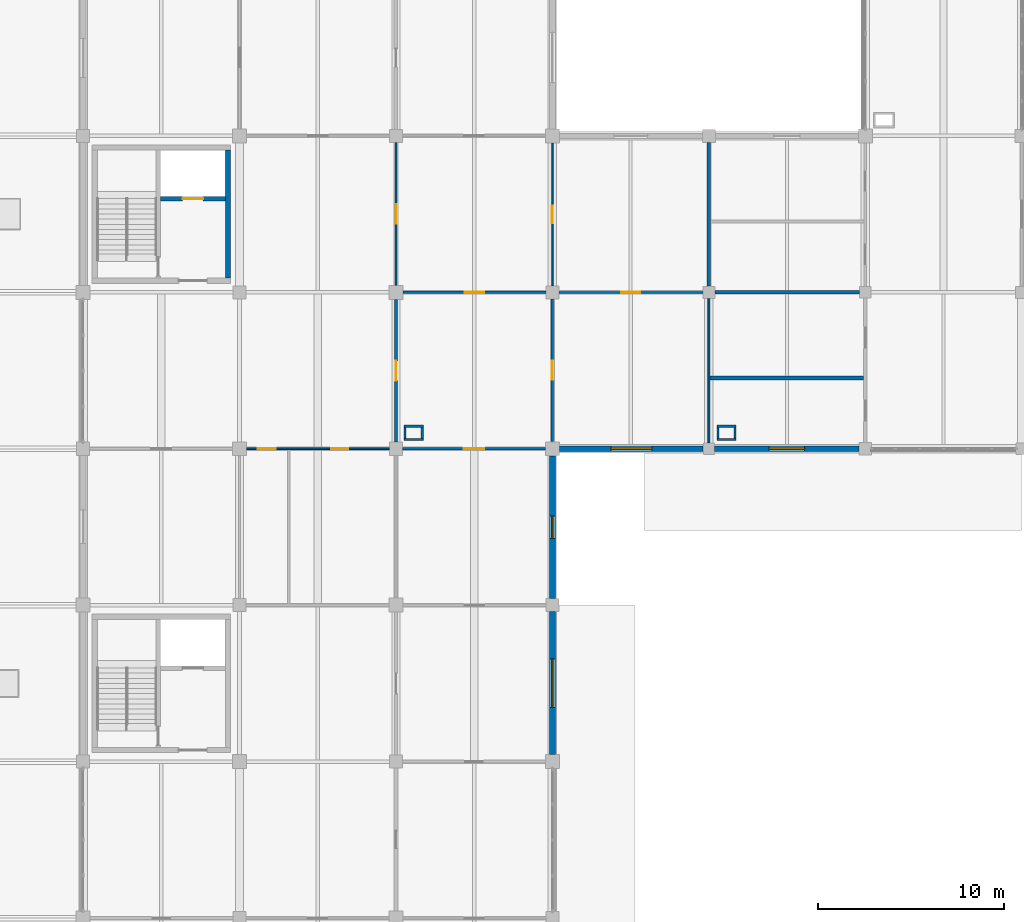
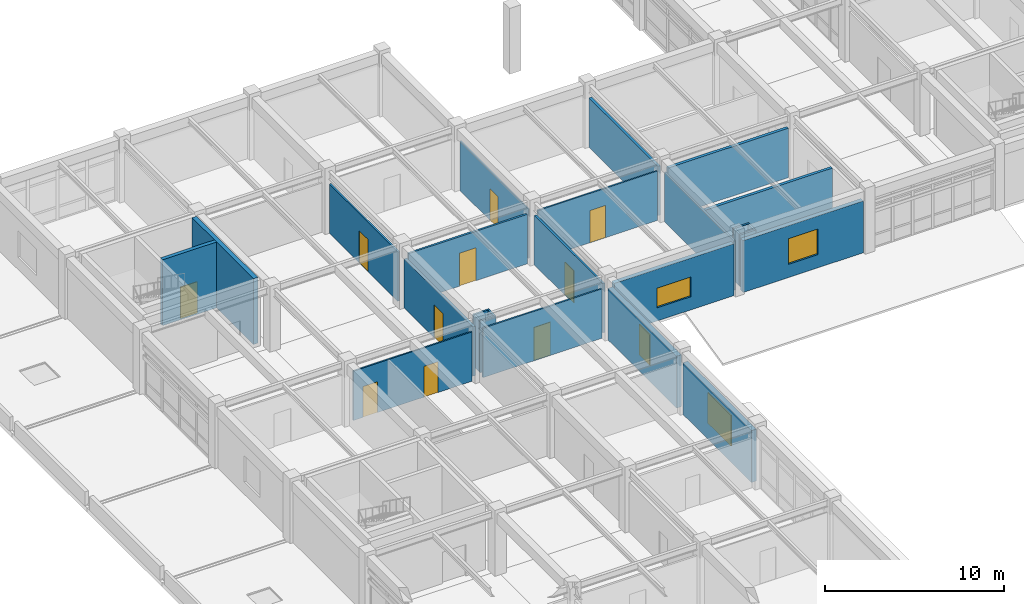
# One storey, part 61 of 78: 26 walls, 10 doors, 4 windows, 14 openings.
"""IFC4 building model written with IfcOpenShell, lengths in metres."""

from ifc_helpers import new_model, si_unit, direction, frame, frame_2d, origin, place, context, subcontext, project, spatial, rectangle, extrude, material, layer, layer_set, type_object, element, fill, save


model = new_model("IFC4")

# Units and contexts
model_context = context("Model", 3, precision=1e-05, world=origin(), true_north=direction((0.0, 1.0)))
body_context = subcontext(model_context, "Body", "Model", "MODEL_VIEW")
ifc_project = project(units=[si_unit("LENGTHUNIT", "METRE"), si_unit("AREAUNIT", "SQUARE_METRE"), si_unit("VOLUMEUNIT", "CUBIC_METRE"), si_unit("PLANEANGLEUNIT", "RADIAN"), si_unit("MASSUNIT", "GRAM", prefix="KILO")], contexts=[model_context])

# Site, building, storey
site_placement = place(None, origin())
site = spatial("IfcSite", under=ifc_project, at=site_placement, CompositionType="ELEMENT")
building_placement = place(site_placement, origin())
building = spatial("IfcBuilding", under=site, at=building_placement, Name="Porcellanite Civic Hall", CompositionType="ELEMENT")
storey_placement = place(building_placement, frame((0.0, 0.0, 10.260009765625)))
storey = spatial("IfcBuildingStorey", under=building, at=storey_placement, Name="L02", CompositionType="ELEMENT", Elevation=10.260009765625)

# Wall, opening, door
ifc_material_1 = material(Name="Concrete N40 (40 MPa)", Category="concrete")
ifc_layer_1 = layer(ifc_material_1, 0.239990234375)
ifc_layer_set_1 = layer_set([ifc_layer_1], Name="Concrete N40 (40 MPa)")
wall_type_1 = type_object("IfcWallType", Name="CW-SH240", PredefinedType="SHEAR", material=ifc_layer_set_1)
wall_1_placement = place(storey_placement, frame((12.56005859375, 63.820068359375, 0.0), z_axis=(0.0, 0.0, 1.0), x_axis=(1.0, 0.0, 0.0)))
wall_1 = element("IfcWall", 1, at=wall_1_placement, inside=storey, type_object=wall_type_1, Name="Lift shaft wall C2 L02", PredefinedType="SHEAR", context=body_context, shape_type="SweptSolid", body=[
    extrude(rectangle(XDim=3.47998046875, YDim=0.239990234375, at=frame_2d((1.739990234375, 0.0))), origin(), (0.0, 0.0, 1.0), 4.5),
])
opening_1_placement = place(wall_1_placement, frame((1.18994140625, 0.0, 0.0)))
opening_1 = element("IfcOpeningElement", 2, at=opening_1_placement, cuts=wall_1, Name="Opening LD-04", PredefinedType="OPENING", context=body_context, shape_type="SweptSolid", body=[
    extrude(rectangle(XDim=1.10009765625, YDim=2.14990234375, at=frame_2d((0.550048828125, 1.074951171875))), frame((0.0, 0.1201171875, 0.0), z_axis=(0.0, -1.0, 0.0), x_axis=(1.0, 0.0, 0.0)), (0.0, 0.0, 1.0), 0.239990234375),
])
ifc_material_2 = material(Name="Brushed stainless steel 316", Category="steel")
door_type_1 = type_object("IfcDoorType", Name="DR-LD110", OperationType="DOUBLE_DOOR_SLIDING", PredefinedType="DOOR", material=ifc_material_2)
door_1_placement = place(opening_1_placement, origin())
door_1 = element("IfcDoor", 3, at=door_1_placement, inside=storey, type_object=door_type_1, Name="Lift landing sliding door LD-04 L02", OperationType="DOUBLE_DOOR_SLIDING", OverallHeight=2.14990234375, OverallWidth=1.10009765625, PredefinedType="DOOR", context=body_context, shape_type="SweptSolid", body=[
    extrude(rectangle(XDim=1.10009765625, YDim=2.14990234375, at=frame_2d((0.550048828125, 1.074951171875))), frame((0.0, 0.02490234375, 0.0), z_axis=(0.0, -1.0, 0.0), x_axis=(1.0, 0.0, 0.0)), (0.0, 0.0, 1.0), 0.050048828125),
])
fill(opening_1, door_1)

# Wall
ifc_material_3 = material(Name="Concrete N40 (40 MPa)", Category="concrete")
ifc_layer_2 = layer(ifc_material_3, 0.280029296875)
ifc_layer_set_2 = layer_set([ifc_layer_2], Name="Concrete N40 (40 MPa)")
wall_type_2 = type_object("IfcWallType", Name="CW-SH280", PredefinedType="SHEAR", material=ifc_layer_set_2)
wall_2_placement = place(storey_placement, frame((16.179931640625, 66.43994140625, 0.0), z_axis=(0.0, 0.0, 1.0), x_axis=(0.0, -1.0, 0.0)))
element("IfcWall", 4, at=wall_2_placement, inside=storey, type_object=wall_type_2, Name="Core wall C2 L02 E", PredefinedType="SHEAR", context=body_context, shape_type="SweptSolid", body=[
    extrude(rectangle(XDim=6.8798828125, YDim=0.280029296875, at=frame_2d((3.43994140625, 0.0))), origin(), (0.0, 0.0, 1.0), 4.5),
])

# Wall, opening, window
ifc_material_4 = material(Name="Precast concrete N40 (40 MPa)", Category="concrete")
ifc_layer_3 = layer(ifc_material_4, 0.280029296875)
ifc_layer_set_3 = layer_set([ifc_layer_3], Name="Precast concrete N40 (40 MPa)")
wall_type_3 = type_object("IfcWallType", Name="EW-CLO280", PredefinedType="SOLIDWALL", material=ifc_layer_set_3)
wall_3_placement = place(storey_placement, frame((41.698974609375, 50.39990234375, 0.0), z_axis=(0.0, 0.0, 1.0), x_axis=(-1.0, 0.0, 0.0)))
wall_3 = element("IfcWall", 5, at=wall_3_placement, inside=storey, type_object=wall_type_3, Name="Exterior wall L02 S 5-7", PredefinedType="SOLIDWALL", context=body_context, shape_type="SweptSolid", body=[
    extrude(rectangle(XDim=7.722900390625, YDim=0.280029296875, at=frame_2d((3.861328125, 0.0))), origin(), (0.0, 0.0, 1.0), 3.5400390625),
])
opening_2_placement = place(wall_3_placement, frame((2.760986328125, 0.0, 0.89990234375)))
opening_2 = element("IfcOpeningElement", 6, at=opening_2_placement, cuts=wall_3, Name="Opening W11", PredefinedType="OPENING", context=body_context, shape_type="SweptSolid", body=[
    extrude(rectangle(XDim=2.199951171875, YDim=1.35009765625, at=frame_2d((1.10009765625, 0.675048828125))), frame((0.0, 0.14013671875, 0.0), z_axis=(0.0, -1.0, 0.0), x_axis=(1.0, 0.0, 0.0)), (0.0, 0.0, 1.0), 0.280029296875),
])
ifc_material_5 = material(Name="Cyclone laminated low-E glazing in anodised aluminium frame", Category="aluminium")
window_type_1 = type_object("IfcWindowType", Name="WN-11", PartitioningType="DOUBLE_PANEL_HORIZONTAL", PredefinedType="WINDOW", material=ifc_material_5)
window_1_placement = place(opening_2_placement, origin())
window_1 = element("IfcWindow", 7, at=window_1_placement, inside=storey, type_object=window_type_1, Name="Window W11 L02 S 5-7", OverallHeight=1.35009765625, OverallWidth=2.199951171875, PartitioningType="SINGLE_PANEL", PredefinedType="WINDOW", context=body_context, shape_type="SweptSolid", body=[
    extrude(rectangle(XDim=2.199951171875, YDim=1.35009765625, at=frame_2d((1.10009765625, 0.675048828125))), frame((0.0, 0.030029296875, 0.0), z_axis=(0.0, -1.0, 0.0), x_axis=(1.0, 0.0, 0.0)), (0.0, 0.0, 1.0), 0.06005859375),
])
fill(opening_2, window_1)

wall_4_placement = place(storey_placement, frame((50.073974609375, 50.39990234375, 0.0), z_axis=(0.0, 0.0, 1.0), x_axis=(-1.0, 0.0, 0.0)))
wall_4 = element("IfcWall", 8, at=wall_4_placement, inside=storey, type_object=wall_type_3, Name="Exterior wall L02 S 6-7", PredefinedType="SOLIDWALL", context=body_context, shape_type="SweptSolid", body=[
    extrude(rectangle(XDim=7.77294921875, YDim=0.280029296875, at=frame_2d((3.886474609375, 0.0))), origin(), (0.0, 0.0, 1.0), 3.5400390625),
])
opening_3_placement = place(wall_4_placement, frame((2.93603515625, 0.0, 0.89990234375)))
opening_3 = element("IfcOpeningElement", 9, at=opening_3_placement, cuts=wall_4, Name="Opening W15", PredefinedType="OPENING", context=body_context, shape_type="SweptSolid", body=[
    extrude(rectangle(XDim=1.89990234375, YDim=1.75, at=frame_2d((0.949951171875, 0.875))), frame((0.0, 0.14013671875, 0.0), z_axis=(0.0, -1.0, 0.0), x_axis=(1.0, 0.0, 0.0)), (0.0, 0.0, 1.0), 0.280029296875),
])
ifc_material_6 = material(Name="Cyclone laminated low-E glazing in anodised aluminium frame", Category="aluminium")
window_type_2 = type_object("IfcWindowType", Name="WN-15", PartitioningType="DOUBLE_PANEL_VERTICAL", PredefinedType="WINDOW", material=ifc_material_6)
window_2_placement = place(opening_3_placement, origin())
window_2 = element("IfcWindow", 10, at=window_2_placement, inside=storey, type_object=window_type_2, Name="Window W15 L02 S 6-7", OverallHeight=1.75, OverallWidth=1.89990234375, PartitioningType="SINGLE_PANEL", PredefinedType="WINDOW", context=body_context, shape_type="SweptSolid", body=[
    extrude(rectangle(XDim=1.89990234375, YDim=1.75, at=frame_2d((0.949951171875, 0.875))), frame((0.0, 0.030029296875, 0.0), z_axis=(0.0, -1.0, 0.0), x_axis=(1.0, 0.0, 0.0)), (0.0, 0.0, 1.0), 0.06005859375),
])
fill(opening_3, window_2)

ifc_material_7 = material(Name="Precast concrete N40 (40 MPa)", Category="concrete")
ifc_layer_4 = layer(ifc_material_7, 0.320068359375)
ifc_layer_set_4 = layer_set([ifc_layer_4], Name="Precast concrete N40 (40 MPa)")
wall_type_4 = type_object("IfcWallType", Name="EW-COM320", PredefinedType="SOLIDWALL", material=ifc_layer_set_4)
wall_5_placement = place(storey_placement, frame((33.60009765625, 41.64892578125, 0.0), z_axis=(0.0, 0.0, 1.0), x_axis=(0.0, -1.0, 0.0)))
wall_5 = element("IfcWall", 11, at=wall_5_placement, inside=storey, type_object=wall_type_4, Name="Exterior wall L02 E 4-5", PredefinedType="SOLIDWALL", context=body_context, shape_type="SweptSolid", body=[
    extrude(rectangle(XDim=7.6728515625, YDim=0.320068359375, at=frame_2d((3.83642578125, 0.0))), origin(), (0.0, 0.0, 1.0), 3.5400390625),
])
opening_4_placement = place(wall_5_placement, frame((2.537109375, 0.0, 0.89990234375)))
opening_4 = element("IfcOpeningElement", 12, at=opening_4_placement, cuts=wall_5, Name="Opening W07", PredefinedType="OPENING", context=body_context, shape_type="SweptSolid", body=[
    extrude(rectangle(XDim=2.60009765625, YDim=2.10009765625, at=frame_2d((1.300048828125, 1.050048828125))), frame((0.0, 0.16015625, 0.0), z_axis=(0.0, -1.0, 0.0), x_axis=(1.0, 0.0, 0.0)), (0.0, 0.0, 1.0), 0.320068359375),
])
ifc_material_8 = material(Name="Cyclone laminated low-E glazing in anodised aluminium frame", Category="aluminium")
window_type_3 = type_object("IfcWindowType", Name="WN-07", PartitioningType="TRIPLE_PANEL_VERTICAL", PredefinedType="WINDOW", material=ifc_material_8)
window_3_placement = place(opening_4_placement, origin())
window_3 = element("IfcWindow", 13, at=window_3_placement, inside=storey, type_object=window_type_3, Name="Window W07 L02 E 4-5", OverallHeight=2.10009765625, OverallWidth=2.60009765625, PartitioningType="SINGLE_PANEL", PredefinedType="WINDOW", context=body_context, shape_type="SweptSolid", body=[
    extrude(rectangle(XDim=2.60009765625, YDim=2.10009765625, at=frame_2d((1.300048828125, 1.050048828125))), frame((0.0, 0.030029296875, 0.0), z_axis=(0.0, -1.0, 0.0), x_axis=(1.0, 0.0, 0.0)), (0.0, 0.0, 1.0), 0.06005859375),
])
fill(opening_4, window_3)

wall_6_placement = place(storey_placement, frame((33.60009765625, 50.02392578125, 0.0), z_axis=(0.0, 0.0, 1.0), x_axis=(0.0, -1.0, 0.0)))
wall_6 = element("IfcWall", 14, at=wall_6_placement, inside=storey, type_object=wall_type_4, Name="Exterior wall L02 E 4-6", PredefinedType="SOLIDWALL", context=body_context, shape_type="SweptSolid", body=[
    extrude(rectangle(XDim=7.6728515625, YDim=0.320068359375, at=frame_2d((3.83642578125, 0.0))), origin(), (0.0, 0.0, 1.0), 3.5400390625),
])
opening_5_placement = place(wall_6_placement, frame((3.236083984375, 0.0, 0.89990234375)))
opening_5 = element("IfcOpeningElement", 15, at=opening_5_placement, cuts=wall_6, Name="Opening W08", PredefinedType="OPENING", context=body_context, shape_type="SweptSolid", body=[
    extrude(rectangle(XDim=1.199951171875, YDim=2.10009765625, at=frame_2d((0.60009765625, 1.050048828125))), frame((0.0, 0.16015625, 0.0), z_axis=(0.0, -1.0, 0.0), x_axis=(1.0, 0.0, 0.0)), (0.0, 0.0, 1.0), 0.320068359375),
])
ifc_material_9 = material(Name="Cyclone laminated low-E glazing in anodised aluminium frame", Category="aluminium")
window_type_4 = type_object("IfcWindowType", Name="WN-08", PartitioningType="SINGLE_PANEL", PredefinedType="WINDOW", material=ifc_material_9)
window_4_placement = place(opening_5_placement, origin())
window_4 = element("IfcWindow", 16, at=window_4_placement, inside=storey, type_object=window_type_4, Name="Window W08 L02 E 4-6", OverallHeight=2.10009765625, OverallWidth=1.199951171875, PartitioningType="SINGLE_PANEL", PredefinedType="WINDOW", context=body_context, shape_type="SweptSolid", body=[
    extrude(rectangle(XDim=1.199951171875, YDim=2.10009765625, at=frame_2d((0.60009765625, 1.050048828125))), frame((0.0, 0.030029296875, 0.0), z_axis=(0.0, -1.0, 0.0), x_axis=(1.0, 0.0, 0.0)), (0.0, 0.0, 1.0), 0.06005859375),
])
fill(opening_5, window_4)

# Walls
ifc_material_10 = material(Name="Fire-rated shaftwall plasterboard on steel studs", Category="steel")
ifc_layer_5 = layer(ifc_material_10, 0.117919921875)
ifc_layer_set_5 = layer_set([ifc_layer_5], Name="Fire-rated shaftwall plasterboard on steel studs")
wall_type_5 = type_object("IfcWallType", Name="IW-FR118", PredefinedType="PARTITIONING", material=ifc_layer_set_5)
for number, where, z_axis, x_axis, name in (
    (17, (25.632080078125, 50.89111328125, 0.0), (0.0, 0.0, 1.0), (1.0, 0.0, 0.0), "Fire riser shaftwall S L02 3-6"),
    (18, (25.632080078125, 51.60888671875, 0.0), (0.0, 0.0, 1.0), (1.0, 0.0, 0.0), "Fire riser shaftwall N L02 3-6"),
):
    element("IfcWall", number, at=place(storey_placement, frame(where, z_axis=z_axis, x_axis=x_axis)), inside=storey, type_object=wall_type_5, Name=name, PredefinedType="PARTITIONING", context=body_context, shape_type="SweptSolid", body=[
        extrude(rectangle(XDim=1.035888671875, YDim=0.117919921875, at=frame_2d((0.51806640625, 0.0))), origin(), (0.0, 0.0, 1.0), 3.530029296875),
    ])
for number, where, z_axis, x_axis, name in (
    (19, (25.69091796875, 50.949951171875, 0.0), (0.0, 0.0, 1.0), (0.0, 1.0, 0.0), "Fire riser shaftwall W L02 3-6"),
    (20, (26.60888671875, 50.949951171875, 0.0), (0.0, 0.0, 1.0), (0.0, 1.0, 0.0), "Fire riser shaftwall E L02 3-6"),
):
    element("IfcWall", number, at=place(storey_placement, frame(where, z_axis=z_axis, x_axis=x_axis)), inside=storey, type_object=wall_type_5, Name=name, PredefinedType="PARTITIONING", context=body_context, shape_type="SweptSolid", body=[
        extrude(rectangle(XDim=0.60009765625, YDim=0.117919921875, at=frame_2d((0.300048828125, 0.0))), origin(), (0.0, 0.0, 1.0), 3.530029296875),
    ])
for number, where, z_axis, x_axis, name in (
    (21, (42.431884765625, 50.89111328125, 0.0), (0.0, 0.0, 1.0), (1.0, 0.0, 0.0), "Fire riser shaftwall S L02 5-6"),
    (22, (42.431884765625, 51.60888671875, 0.0), (0.0, 0.0, 1.0), (1.0, 0.0, 0.0), "Fire riser shaftwall N L02 5-6"),
):
    element("IfcWall", number, at=place(storey_placement, frame(where, z_axis=z_axis, x_axis=x_axis)), inside=storey, type_object=wall_type_5, Name=name, PredefinedType="PARTITIONING", context=body_context, shape_type="SweptSolid", body=[
        extrude(rectangle(XDim=1.0361328125, YDim=0.117919921875, at=frame_2d((0.51806640625, 0.0))), origin(), (0.0, 0.0, 1.0), 3.530029296875),
    ])
for number, where, z_axis, x_axis, name in (
    (23, (42.490966796875, 50.949951171875, 0.0), (0.0, 0.0, 1.0), (0.0, 1.0, 0.0), "Fire riser shaftwall W L02 5-6"),
    (24, (43.408935546875, 50.949951171875, 0.0), (0.0, 0.0, 1.0), (0.0, 1.0, 0.0), "Fire riser shaftwall E L02 5-6"),
):
    element("IfcWall", number, at=place(storey_placement, frame(where, z_axis=z_axis, x_axis=x_axis)), inside=storey, type_object=wall_type_5, Name=name, PredefinedType="PARTITIONING", context=body_context, shape_type="SweptSolid", body=[
        extrude(rectangle(XDim=0.60009765625, YDim=0.117919921875, at=frame_2d((0.300048828125, 0.0))), origin(), (0.0, 0.0, 1.0), 3.530029296875),
    ])

# Wall, opening, door
ifc_material_11 = material(Name="Insulated acoustic plasterboard on light-gauge steel studs", Category="steel")
ifc_layer_6 = layer(ifc_material_11, 0.087890625)
ifc_layer_set_6 = layer_set([ifc_layer_6], Name="Insulated acoustic plasterboard on light-gauge steel studs")
wall_type_6 = type_object("IfcWallType", Name="IW-PT088", PredefinedType="PARTITIONING", material=ifc_layer_set_6)
wall_7_placement = place(storey_placement, frame((33.60009765625, 59.152099609375, 0.0), z_axis=(0.0, 0.0, 1.0), x_axis=(0.0, 1.0, 0.0)))
wall_7 = element("IfcWall", 25, at=wall_7_placement, inside=storey, type_object=wall_type_6, Name="Partition L02 V 4-8", PredefinedType="PARTITIONING", context=body_context, shape_type="SweptSolid", body=[
    extrude(rectangle(XDim=7.6708984375, YDim=0.087890625, at=frame_2d((3.83544921875, 0.0))), origin(), (0.0, 0.0, 1.0), 3.369873046875),
])
opening_6_placement = place(wall_7_placement, frame((3.364990234375, 0.0, 0.0)))
opening_6 = element("IfcOpeningElement", 26, at=opening_6_placement, cuts=wall_7, Name="Opening D-L02-397", PredefinedType="OPENING", context=body_context, shape_type="SweptSolid", body=[
    extrude(rectangle(XDim=0.93994140625, YDim=2.14990234375, at=frame_2d((0.469970703125, 1.074951171875))), frame((0.0, 0.0439453125, 0.0), z_axis=(0.0, -1.0, 0.0), x_axis=(1.0, 0.0, 0.0)), (0.0, 0.0, 1.0), 0.087890625),
])
ifc_material_12 = material(Name="Solid-core spotted-gum timber", Category="wood")
door_type_2 = type_object("IfcDoorType", Name="DR-RM094", OperationType="NOTDEFINED", PredefinedType="DOOR", material=ifc_material_12)
door_2_placement = place(opening_6_placement, origin())
door_2 = element("IfcDoor", 27, at=door_2_placement, inside=storey, type_object=door_type_2, Name="Interior door D-L02-397", OperationType="SINGLE_SWING_LEFT", OverallHeight=2.14990234375, OverallWidth=0.93994140625, PredefinedType="DOOR", context=body_context, shape_type="SweptSolid", body=[
    extrude(rectangle(XDim=0.93994140625, YDim=2.14990234375, at=frame_2d((0.469970703125, 1.074951171875))), frame((0.0, 0.02490234375, 0.0), z_axis=(0.0, -1.0, 0.0), x_axis=(1.0, 0.0, 0.0)), (0.0, 0.0, 1.0), 0.050048828125),
])
fill(opening_6, door_2)

# Wall, openings, doors
ifc_material_13 = material(Name="Insulated acoustic plasterboard on light-gauge steel studs", Category="steel")
ifc_layer_7 = layer(ifc_material_13, 0.094970703125)
ifc_layer_set_7 = layer_set([ifc_layer_7], Name="Insulated acoustic plasterboard on light-gauge steel studs")
wall_type_7 = type_object("IfcWallType", Name="IW-PT095", PredefinedType="PARTITIONING", material=ifc_layer_set_7)
wall_8_placement = place(storey_placement, frame((17.177001953125, 50.39990234375, 0.0), z_axis=(0.0, 0.0, 1.0), x_axis=(1.0, 0.0, 0.0)))
wall_8 = element("IfcWall", 28, at=wall_8_placement, inside=storey, type_object=wall_type_7, Name="Partition L02 H 3-6", PredefinedType="PARTITIONING", context=body_context, shape_type="SweptSolid", body=[
    extrude(rectangle(XDim=7.6708984375, YDim=0.094970703125, at=frame_2d((3.83544921875, 0.0))), origin(), (0.0, 0.0, 1.0), 3.369873046875),
])
opening_7_placement = place(wall_8_placement, frame((0.60791015625, 0.0, 0.0)))
opening_7 = element("IfcOpeningElement", 29, at=opening_7_placement, cuts=wall_8, Name="Opening D-L02-308", PredefinedType="OPENING", context=body_context, shape_type="SweptSolid", body=[
    extrude(rectangle(XDim=0.9599609375, YDim=2.10009765625, at=frame_2d((0.47998046875, 1.050048828125))), frame((0.0, 0.04736328125, 0.0), z_axis=(0.0, -1.0, 0.0), x_axis=(1.0, 0.0, 0.0)), (0.0, 0.0, 1.0), 0.094970703125),
])
opening_8_placement = place(wall_8_placement, frame((4.548095703125, 0.0, 0.0)))
opening_8 = element("IfcOpeningElement", 30, at=opening_8_placement, cuts=wall_8, Name="Opening D-L02-309", PredefinedType="OPENING", context=body_context, shape_type="SweptSolid", body=[
    extrude(rectangle(XDim=0.919921875, YDim=2.10009765625, at=frame_2d((0.4599609375, 1.050048828125))), frame((0.0, 0.04736328125, 0.0), z_axis=(0.0, -1.0, 0.0), x_axis=(1.0, 0.0, 0.0)), (0.0, 0.0, 1.0), 0.094970703125),
])
ifc_material_14 = material(Name="Moisture-resistant laminate solid-core timber", Category="wood")
door_type_3 = type_object("IfcDoorType", Name="DR-WC092", OperationType="NOTDEFINED", PredefinedType="DOOR", material=ifc_material_14)
door_3_placement = place(opening_8_placement, origin())
door_3 = element("IfcDoor", 31, at=door_3_placement, inside=storey, type_object=door_type_3, Name="Interior door D-L02-309", OperationType="SINGLE_SWING_LEFT", OverallHeight=2.10009765625, OverallWidth=0.919921875, PredefinedType="DOOR", context=body_context, shape_type="SweptSolid", body=[
    extrude(rectangle(XDim=0.919921875, YDim=2.10009765625, at=frame_2d((0.4599609375, 1.050048828125))), frame((0.0, 0.02490234375, 0.0), z_axis=(0.0, -1.0, 0.0), x_axis=(1.0, 0.0, 0.0)), (0.0, 0.0, 1.0), 0.050048828125),
])
fill(opening_8, door_3)
ifc_material_15 = material(Name="Moisture-resistant laminate solid-core timber", Category="wood")
door_type_4 = type_object("IfcDoorType", Name="DR-WC096", OperationType="NOTDEFINED", PredefinedType="DOOR", material=ifc_material_15)
door_4_placement = place(opening_7_placement, origin())
door_4 = element("IfcDoor", 32, at=door_4_placement, inside=storey, type_object=door_type_4, Name="Interior door D-L02-308", OperationType="SINGLE_SWING_RIGHT", OverallHeight=2.10009765625, OverallWidth=0.9599609375, PredefinedType="DOOR", context=body_context, shape_type="SweptSolid", body=[
    extrude(rectangle(XDim=0.9599609375, YDim=2.10009765625, at=frame_2d((0.47998046875, 1.050048828125))), frame((0.0, 0.02490234375, 0.0), z_axis=(0.0, -1.0, 0.0), x_axis=(1.0, 0.0, 0.0)), (0.0, 0.0, 1.0), 0.050048828125),
])
fill(opening_7, door_4)

# Wall, opening, door
ifc_material_16 = material(Name="Insulated acoustic plasterboard on light-gauge steel studs", Category="steel")
ifc_layer_8 = layer(ifc_material_16, 0.10498046875)
ifc_layer_set_8 = layer_set([ifc_layer_8], Name="Insulated acoustic plasterboard on light-gauge steel studs")
wall_type_8 = type_object("IfcWallType", Name="IW-PT105", PredefinedType="PARTITIONING", material=ifc_layer_set_8)
wall_9_placement = place(storey_placement, frame((33.951904296875, 58.800048828125, 0.0), z_axis=(0.0, 0.0, 1.0), x_axis=(1.0, 0.0, 0.0)))
wall_9 = element("IfcWall", 33, at=wall_9_placement, inside=storey, type_object=wall_type_8, Name="Partition L02 H 5-7", PredefinedType="PARTITIONING", context=body_context, shape_type="SweptSolid", body=[
    extrude(rectangle(XDim=7.72119140625, YDim=0.10498046875, at=frame_2d((3.860595703125, 0.0))), origin(), (0.0, 0.0, 1.0), 3.369873046875),
])
opening_9_placement = place(wall_9_placement, frame((3.35107421875, 0.0, 0.0)))
opening_9 = element("IfcOpeningElement", 34, at=opening_9_placement, cuts=wall_9, Name="Opening D-L02-367", PredefinedType="OPENING", context=body_context, shape_type="SweptSolid", body=[
    extrude(rectangle(XDim=1.02001953125, YDim=2.199951171875, at=frame_2d((0.510009765625, 1.10009765625))), frame((0.0, 0.052490234375, 0.0), z_axis=(0.0, -1.0, 0.0), x_axis=(1.0, 0.0, 0.0)), (0.0, 0.0, 1.0), 0.10498046875),
])
ifc_material_17 = material(Name="Solid-core spotted-gum timber", Category="wood")
door_type_5 = type_object("IfcDoorType", Name="DR-RM102", OperationType="NOTDEFINED", PredefinedType="DOOR", material=ifc_material_17)
door_5_placement = place(opening_9_placement, origin())
door_5 = element("IfcDoor", 35, at=door_5_placement, inside=storey, type_object=door_type_5, Name="Interior door D-L02-367", OperationType="SINGLE_SWING_LEFT", OverallHeight=2.199951171875, OverallWidth=1.02001953125, PredefinedType="DOOR", context=body_context, shape_type="SweptSolid", body=[
    extrude(rectangle(XDim=1.02001953125, YDim=2.199951171875, at=frame_2d((0.510009765625, 1.10009765625))), frame((0.0, 0.02490234375, 0.0), z_axis=(0.0, -1.0, 0.0), x_axis=(1.0, 0.0, 0.0)), (0.0, 0.0, 1.0), 0.050048828125),
])
fill(opening_9, door_5)

# Wall
wall_10_placement = place(storey_placement, frame((42.0, 50.701904296875, 0.0), z_axis=(0.0, 0.0, 1.0), x_axis=(0.0, 1.0, 0.0)))
element("IfcWall", 36, at=wall_10_placement, inside=storey, type_object=wall_type_8, Name="Partition L02 V 5-7", PredefinedType="PARTITIONING", context=body_context, shape_type="SweptSolid", body=[
    extrude(rectangle(XDim=7.77099609375, YDim=0.10498046875, at=frame_2d((3.885498046875, 0.0))), origin(), (0.0, 0.0, 1.0), 3.369873046875),
])

# Wall, opening, door
ifc_material_18 = material(Name="Insulated acoustic plasterboard on light-gauge steel studs", Category="steel")
ifc_layer_9 = layer(ifc_material_18, 0.114990234375)
ifc_layer_set_9 = layer_set([ifc_layer_9], Name="Insulated acoustic plasterboard on light-gauge steel studs")
wall_type_9 = type_object("IfcWallType", Name="IW-PT115", PredefinedType="PARTITIONING", material=ifc_layer_set_9)
wall_11_placement = place(storey_placement, frame((25.199951171875, 59.177001953125, 0.0), z_axis=(0.0, 0.0, 1.0), x_axis=(0.0, 1.0, 0.0)))
wall_11 = element("IfcWall", 37, at=wall_11_placement, inside=storey, type_object=wall_type_9, Name="Partition L02 V 3-8", PredefinedType="PARTITIONING", context=body_context, shape_type="SweptSolid", body=[
    extrude(rectangle(XDim=7.6708984375, YDim=0.114990234375, at=frame_2d((3.83544921875, 0.0))), origin(), (0.0, 0.0, 1.0), 3.369873046875),
])
opening_10_placement = place(wall_11_placement, frame((3.31591796875, 0.0, 0.0)))
opening_10 = element("IfcOpeningElement", 38, at=opening_10_placement, cuts=wall_11, Name="Opening D-L02-353", PredefinedType="OPENING", context=body_context, shape_type="SweptSolid", body=[
    extrude(rectangle(XDim=1.0400390625, YDim=2.199951171875, at=frame_2d((0.52001953125, 1.10009765625))), frame((0.0, 0.0576171875, 0.0), z_axis=(0.0, -1.0, 0.0), x_axis=(1.0, 0.0, 0.0)), (0.0, 0.0, 1.0), 0.114990234375),
])
ifc_material_19 = material(Name="Solid-core spotted-gum timber", Category="wood")
door_type_6 = type_object("IfcDoorType", Name="DR-RM104", OperationType="NOTDEFINED", PredefinedType="DOOR", material=ifc_material_19)
door_6_placement = place(opening_10_placement, origin())
door_6 = element("IfcDoor", 39, at=door_6_placement, inside=storey, type_object=door_type_6, Name="Interior door D-L02-353", OperationType="SINGLE_SWING_RIGHT", OverallHeight=2.199951171875, OverallWidth=1.0400390625, PredefinedType="DOOR", context=body_context, shape_type="SweptSolid", body=[
    extrude(rectangle(XDim=1.0400390625, YDim=2.199951171875, at=frame_2d((0.52001953125, 1.10009765625))), frame((0.0, 0.02490234375, 0.0), z_axis=(0.0, -1.0, 0.0), x_axis=(1.0, 0.0, 0.0)), (0.0, 0.0, 1.0), 0.050048828125),
])
fill(opening_10, door_6)

ifc_material_20 = material(Name="Insulated acoustic plasterboard on light-gauge steel studs", Category="steel")
ifc_layer_10 = layer(ifc_material_20, 0.135009765625)
ifc_layer_set_10 = layer_set([ifc_layer_10], Name="Insulated acoustic plasterboard on light-gauge steel studs")
wall_type_10 = type_object("IfcWallType", Name="IW-PT135", PredefinedType="PARTITIONING", material=ifc_layer_set_10)
wall_12_placement = place(storey_placement, frame((25.576904296875, 58.800048828125, 0.0), z_axis=(0.0, 0.0, 1.0), x_axis=(1.0, 0.0, 0.0)))
wall_12 = element("IfcWall", 40, at=wall_12_placement, inside=storey, type_object=wall_type_10, Name="Partition L02 H 4-7", PredefinedType="PARTITIONING", context=body_context, shape_type="SweptSolid", body=[
    extrude(rectangle(XDim=7.671142578125, YDim=0.135009765625, at=frame_2d((3.83544921875, 0.0))), origin(), (0.0, 0.0, 1.0), 3.369873046875),
])
opening_11_placement = place(wall_12_placement, frame((3.305908203125, 0.0, 0.0)))
opening_11 = element("IfcOpeningElement", 41, at=opening_11_placement, cuts=wall_12, Name="Opening D-L02-391", PredefinedType="OPENING", context=body_context, shape_type="SweptSolid", body=[
    extrude(rectangle(XDim=1.06005859375, YDim=2.25, at=frame_2d((0.530029296875, 1.125))), frame((0.0, 0.0673828125, 0.0), z_axis=(0.0, -1.0, 0.0), x_axis=(1.0, 0.0, 0.0)), (0.0, 0.0, 1.0), 0.135009765625),
])
ifc_material_21 = material(Name="Solid-core spotted-gum timber", Category="wood")
door_type_7 = type_object("IfcDoorType", Name="DR-RM106", OperationType="NOTDEFINED", PredefinedType="DOOR", material=ifc_material_21)
door_7_placement = place(opening_11_placement, origin())
door_7 = element("IfcDoor", 42, at=door_7_placement, inside=storey, type_object=door_type_7, Name="Interior door D-L02-391", OperationType="SINGLE_SWING_LEFT", OverallHeight=2.25, OverallWidth=1.06005859375, PredefinedType="DOOR", context=body_context, shape_type="SweptSolid", body=[
    extrude(rectangle(XDim=1.06005859375, YDim=2.25, at=frame_2d((0.530029296875, 1.125))), frame((0.0, 0.02490234375, 0.0), z_axis=(0.0, -1.0, 0.0), x_axis=(1.0, 0.0, 0.0)), (0.0, 0.0, 1.0), 0.050048828125),
])
fill(opening_11, door_7)

wall_13_placement = place(storey_placement, frame((33.60009765625, 50.777099609375, 0.0), z_axis=(0.0, 0.0, 1.0), x_axis=(0.0, 1.0, 0.0)))
wall_13 = element("IfcWall", 43, at=wall_13_placement, inside=storey, type_object=wall_type_10, Name="Partition L02 V 4-7", PredefinedType="PARTITIONING", context=body_context, shape_type="SweptSolid", body=[
    extrude(rectangle(XDim=7.6708984375, YDim=0.135009765625, at=frame_2d((3.83544921875, 0.0))), origin(), (0.0, 0.0, 1.0), 3.369873046875),
])
opening_12_placement = place(wall_13_placement, frame((3.3359375, 0.0, 0.0)))
opening_12 = element("IfcOpeningElement", 44, at=opening_12_placement, cuts=wall_13, Name="Opening D-L02-381", PredefinedType="OPENING", context=body_context, shape_type="SweptSolid", body=[
    extrude(rectangle(XDim=1.0, YDim=2.199951171875, at=frame_2d((0.5, 1.10009765625))), frame((0.0, 0.0673828125, 0.0), z_axis=(0.0, -1.0, 0.0), x_axis=(1.0, 0.0, 0.0)), (0.0, 0.0, 1.0), 0.135009765625),
])
ifc_material_22 = material(Name="Solid-core spotted-gum timber", Category="wood")
door_type_8 = type_object("IfcDoorType", Name="DR-RM100", OperationType="NOTDEFINED", PredefinedType="DOOR", material=ifc_material_22)
door_8_placement = place(opening_12_placement, origin())
door_8 = element("IfcDoor", 45, at=door_8_placement, inside=storey, type_object=door_type_8, Name="Interior door D-L02-381", OperationType="SINGLE_SWING_LEFT", OverallHeight=2.199951171875, OverallWidth=1.0, PredefinedType="DOOR", context=body_context, shape_type="SweptSolid", body=[
    extrude(rectangle(XDim=1.0, YDim=2.199951171875, at=frame_2d((0.5, 1.10009765625))), frame((0.0, 0.02490234375, 0.0), z_axis=(0.0, -1.0, 0.0), x_axis=(1.0, 0.0, 0.0)), (0.0, 0.0, 1.0), 0.050048828125),
])
fill(opening_12, door_8)

ifc_material_23 = material(Name="Insulated acoustic plasterboard on light-gauge steel studs", Category="steel")
ifc_layer_11 = layer(ifc_material_23, 0.1650390625)
ifc_layer_set_11 = layer_set([ifc_layer_11], Name="Insulated acoustic plasterboard on light-gauge steel studs")
wall_type_11 = type_object("IfcWallType", Name="IW-PT165", PredefinedType="PARTITIONING", material=ifc_layer_set_11)
wall_14_placement = place(storey_placement, frame((25.199951171875, 50.751953125, 0.0), z_axis=(0.0, 0.0, 1.0), x_axis=(0.0, 1.0, 0.0)))
wall_14 = element("IfcWall", 46, at=wall_14_placement, inside=storey, type_object=wall_type_11, Name="Partition L02 V 3-7", PredefinedType="PARTITIONING", context=body_context, shape_type="SweptSolid", body=[
    extrude(rectangle(XDim=7.671142578125, YDim=0.1650390625, at=frame_2d((3.83544921875, 0.0))), origin(), (0.0, 0.0, 1.0), 3.369873046875),
])
opening_13_placement = place(wall_14_placement, frame((3.305908203125, 0.0, 0.0)))
opening_13 = element("IfcOpeningElement", 47, at=opening_13_placement, cuts=wall_14, Name="Opening D-L02-352", PredefinedType="OPENING", context=body_context, shape_type="SweptSolid", body=[
    extrude(rectangle(XDim=1.06005859375, YDim=2.25, at=frame_2d((0.530029296875, 1.125))), frame((0.0, 0.08251953125, 0.0), z_axis=(0.0, -1.0, 0.0), x_axis=(1.0, 0.0, 0.0)), (0.0, 0.0, 1.0), 0.1650390625),
])
door_9_placement = place(opening_13_placement, origin())
door_9 = element("IfcDoor", 48, at=door_9_placement, inside=storey, type_object=door_type_7, Name="Interior door D-L02-352", OperationType="SINGLE_SWING_LEFT", OverallHeight=2.25, OverallWidth=1.06005859375, PredefinedType="DOOR", context=body_context, shape_type="SweptSolid", body=[
    extrude(rectangle(XDim=1.06005859375, YDim=2.25, at=frame_2d((0.530029296875, 1.125))), frame((0.0, 0.02490234375, 0.0), z_axis=(0.0, -1.0, 0.0), x_axis=(1.0, 0.0, 0.0)), (0.0, 0.0, 1.0), 0.050048828125),
])
fill(opening_13, door_9)

# Walls
ifc_material_24 = material(Name="Insulated acoustic plasterboard on light-gauge steel studs", Category="steel")
ifc_layer_12 = layer(ifc_material_24, 0.175048828125)
ifc_layer_set_12 = layer_set([ifc_layer_12], Name="Insulated acoustic plasterboard on light-gauge steel studs")
wall_type_12 = type_object("IfcWallType", Name="IW-PT175", PredefinedType="PARTITIONING", material=ifc_layer_set_12)
wall_15_placement = place(storey_placement, frame((42.0, 59.126953125, 0.0), z_axis=(0.0, 0.0, 1.0), x_axis=(0.0, 1.0, 0.0)))
element("IfcWall", 49, at=wall_15_placement, inside=storey, type_object=wall_type_12, Name="Partition L02 V 5-8", PredefinedType="PARTITIONING", context=body_context, shape_type="SweptSolid", body=[
    extrude(rectangle(XDim=7.720947265625, YDim=0.175048828125, at=frame_2d((3.8603515625, 0.0))), origin(), (0.0, 0.0, 1.0), 3.369873046875),
])
ifc_material_25 = material(Name="Insulated acoustic plasterboard on light-gauge steel studs", Category="steel")
ifc_layer_13 = layer(ifc_material_25, 0.195068359375)
ifc_layer_set_13 = layer_set([ifc_layer_13], Name="Insulated acoustic plasterboard on light-gauge steel studs")
wall_type_13 = type_object("IfcWallType", Name="IW-PT195", PredefinedType="PARTITIONING", material=ifc_layer_set_13)
wall_16_placement = place(storey_placement, frame((42.326904296875, 58.800048828125, 0.0), z_axis=(0.0, 0.0, 1.0), x_axis=(1.0, 0.0, 0.0)))
element("IfcWall", 50, at=wall_16_placement, inside=storey, type_object=wall_type_13, Name="Partition L02 H 6-7", PredefinedType="PARTITIONING", context=body_context, shape_type="SweptSolid", body=[
    extrude(rectangle(XDim=7.77099609375, YDim=0.195068359375, at=frame_2d((3.885498046875, 0.0))), origin(), (0.0, 0.0, 1.0), 3.369873046875),
])
wall_17_placement = place(storey_placement, frame((42.054443359375, 54.199951171875, 0.0), z_axis=(0.0, 0.0, 1.0), x_axis=(1.0, 0.0, 0.0)))
element("IfcWall", 51, at=wall_17_placement, inside=storey, type_object=wall_type_13, Name="Partition L02 sub 6-7", PredefinedType="PARTITIONING", context=body_context, shape_type="SweptSolid", body=[
    extrude(rectangle(XDim=8.24609375, YDim=0.195068359375, at=frame_2d((4.123046875, 0.0))), origin(), (0.0, 0.0, 1.0), 3.369873046875),
])

# Wall, opening, door
ifc_material_26 = material(Name="Acoustic timber-veneered operable panel system", Category="wood")
ifc_layer_14 = layer(ifc_material_26, 0.110107421875)
ifc_layer_set_14 = layer_set([ifc_layer_14], Name="Acoustic timber-veneered operable panel system")
wall_type_14 = type_object("IfcWallType", Name="MW-OP110", PredefinedType="MOVABLE", material=ifc_layer_set_14)
wall_18_placement = place(storey_placement, frame((25.552001953125, 50.39990234375, 0.0), z_axis=(0.0, 0.0, 1.0), x_axis=(1.0, 0.0, 0.0)))
wall_18 = element("IfcWall", 52, at=wall_18_placement, inside=storey, type_object=wall_type_14, Name="Partition L02 H 4-6", PredefinedType="MOVABLE", context=body_context, shape_type="SweptSolid", body=[
    extrude(rectangle(XDim=7.6708984375, YDim=0.110107421875, at=frame_2d((3.83544921875, 0.0))), origin(), (0.0, 0.0, 1.0), 3.369873046875),
])
opening_14_placement = place(wall_18_placement, frame((3.2958984375, 0.0, 0.0)))
opening_14 = element("IfcOpeningElement", 53, at=opening_14_placement, cuts=wall_18, Name="Opening D-L02-390", PredefinedType="OPENING", context=body_context, shape_type="SweptSolid", body=[
    extrude(rectangle(XDim=1.080078125, YDim=2.25, at=frame_2d((0.5400390625, 1.125))), frame((0.0, 0.05517578125, 0.0), z_axis=(0.0, -1.0, 0.0), x_axis=(1.0, 0.0, 0.0)), (0.0, 0.0, 1.0), 0.110107421875),
])
ifc_material_27 = material(Name="Solid-core spotted-gum timber", Category="wood")
door_type_9 = type_object("IfcDoorType", Name="DR-RM108", OperationType="NOTDEFINED", PredefinedType="DOOR", material=ifc_material_27)
door_10_placement = place(opening_14_placement, origin())
door_10 = element("IfcDoor", 54, at=door_10_placement, inside=storey, type_object=door_type_9, Name="Interior door D-L02-390", OperationType="SINGLE_SWING_RIGHT", OverallHeight=2.25, OverallWidth=1.080078125, PredefinedType="DOOR", context=body_context, shape_type="SweptSolid", body=[
    extrude(rectangle(XDim=1.080078125, YDim=2.25, at=frame_2d((0.5400390625, 1.125))), frame((0.0, 0.02490234375, 0.0), z_axis=(0.0, -1.0, 0.0), x_axis=(1.0, 0.0, 0.0)), (0.0, 0.0, 1.0), 0.050048828125),
])
fill(opening_14, door_10)

save(model, "model.ifc")
